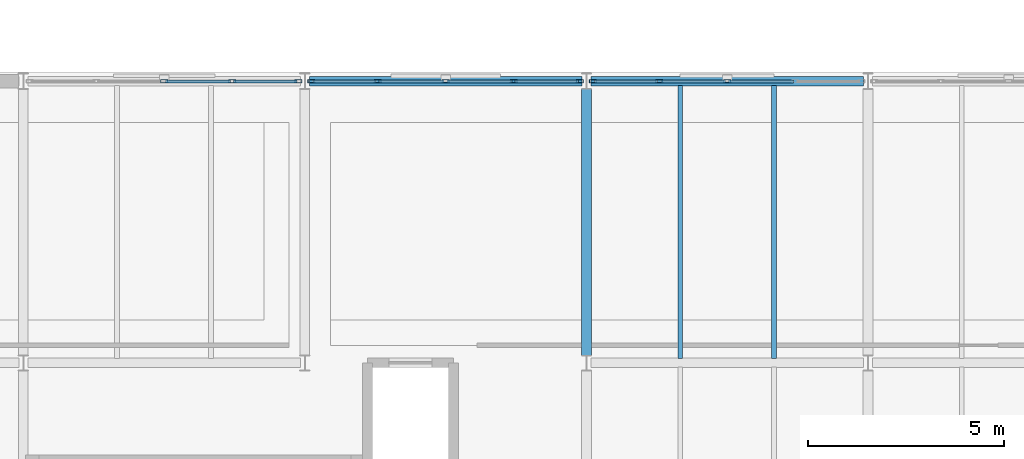
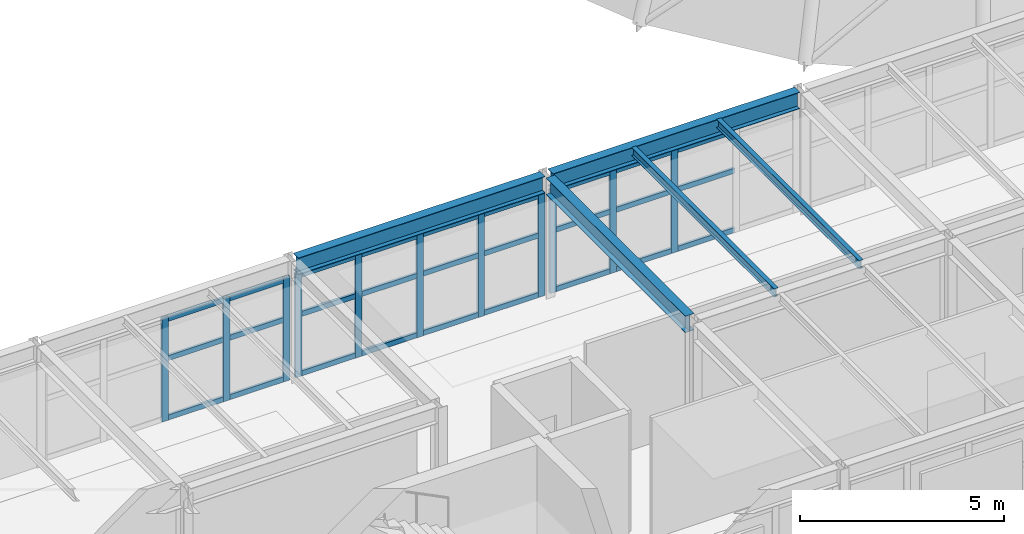
# One storey, part 19 of 48: 38 members, 5 beams, 3 elements without a shape of their own.
"""IFC4 building model written with IfcOpenShell, lengths in metres."""

import ifcopenshell
import ifcopenshell.guid

model = None  # the IFC model being written
_history = None  # IfcOwnerHistory: only IFC2X3 demands one
_inside = {}  # id of a spatial element -> (the spatial element, [elements in it])
_under = {}  # id of a project, library or spatial element -> (it, [spatial elements below it])
_declared = {}  # id of a project -> (the project, [libraries it declares])
_typed = {}  # id of a type object -> (the type object, [elements of that type])
_made_of = {}  # id of a material, layer set ... -> (it, [elements and type objects made of it])


def new_model(schema):
    """Start an empty IFC model of exactly this schema.

    Asked for "IFC4X3", IfcOpenShell would pick the latest addendum, in which some entities
    have other attributes; the version numbers below select the first issue.
    IFC2X3 requires an IfcOwnerHistory on every rooted entity: one is made here for all.
    """
    global model, _history
    if schema == "IFC4X3":
        model = ifcopenshell.file(schema_version=(4, 3, 0, 0))
    else:
        model = ifcopenshell.file(schema=schema)
    _inside.clear()
    _under.clear()
    _declared.clear()
    _typed.clear()
    _made_of.clear()
    _history = None
    if model.schema == "IFC2X3":
        org = make("IfcOrganization", Name="unknown")
        user = make(
            "IfcPersonAndOrganization",
            ThePerson=make("IfcPerson", FamilyName="unknown"),
            TheOrganization=org,
        )
        app = make(
            "IfcApplication",
            ApplicationDeveloper=org,
            Version="unknown",
            ApplicationFullName="unknown",
            ApplicationIdentifier="unknown",
        )
        _history = make(
            "IfcOwnerHistory",
            OwningUser=user,
            OwningApplication=app,
            ChangeAction="ADDED",
            CreationDate=0,
        )
    return model


def make(cls, **values):
    """One entity of the class cls with the attributes given. An attribute that is None is left unset."""
    return model.create_entity(
        cls, **{name: value for name, value in values.items() if value is not None}
    )


def rooted(cls, **values):
    """An entity with a GlobalId (a new one), such as an element, a storey or a relation."""
    return make(cls, GlobalId=ifcopenshell.guid.new(), OwnerHistory=_history, **values)


def si_unit(unit_type, name, prefix=None):
    """IfcSIUnit, for example si_unit("LENGTHUNIT", "METRE", prefix="MILLI")."""
    return make("IfcSIUnit", UnitType=unit_type, Prefix=prefix, Name=name)


def assignment(units):
    """IfcUnitAssignment: the units of a project."""
    return None if units is None else make("IfcUnitAssignment", Units=units)


def point(xyz):
    """IfcCartesianPoint."""
    return None if xyz is None else make("IfcCartesianPoint", Coordinates=xyz)


def direction(xyz):
    """IfcDirection."""
    return None if xyz is None else make("IfcDirection", DirectionRatios=xyz)


def frame(location, z_axis=None, x_axis=None):
    """IfcAxis2Placement3D, a coordinate frame: its origin and axes. An axis left out is left unset."""
    return make(
        "IfcAxis2Placement3D",
        Location=point(location),
        Axis=direction(z_axis),
        RefDirection=direction(x_axis),
    )


def frame_2d(location, x_axis=None):
    """IfcAxis2Placement2D, a coordinate frame in the plane: its origin and x axis."""
    return make(
        "IfcAxis2Placement2D", Location=point(location), RefDirection=direction(x_axis)
    )


def origin():
    """The frame at (0, 0, 0) with its axes left unset."""
    return frame((0.0, 0.0, 0.0))


def origin_2d():
    """The frame at (0, 0) in the plane with its x axis left unset."""
    return frame_2d((0.0, 0.0))


def place(relative_to, where):
    """IfcLocalPlacement: puts the frame where relative to a parent placement (None: the world)."""
    return make(
        "IfcLocalPlacement", PlacementRelTo=relative_to, RelativePlacement=where
    )


def context(
    kind, dimensions, precision=None, world=None, true_north=None, identifier=None
):
    """IfcGeometricRepresentationContext, for example the 3D "Model" context."""
    return make(
        "IfcGeometricRepresentationContext",
        ContextIdentifier=identifier,
        ContextType=kind,
        CoordinateSpaceDimension=dimensions,
        Precision=precision,
        WorldCoordinateSystem=world,
        TrueNorth=true_north,
    )


def subcontext(parent, identifier, kind, view, scale=None):
    """IfcGeometricRepresentationSubContext, for example "Body" below "Model"."""
    return make(
        "IfcGeometricRepresentationSubContext",
        ContextIdentifier=identifier,
        ContextType=kind,
        ParentContext=parent,
        TargetScale=scale,
        TargetView=view,
    )


def project(units=None, contexts=None):
    """IfcProject with its units and contexts."""
    return rooted(
        "IfcProject",
        Name="project",
        RepresentationContexts=contexts,
        UnitsInContext=assignment(units),
    )


def spatial(cls, under=None, at=None, **own):
    """A site, building, storey or space (cls), placed at a placement, below another one or the project."""
    s = rooted(cls, ObjectPlacement=at, **own)
    if under is not None:
        _under.setdefault(under.id(), (under, []))[1].append(s)
    return s


def profile(cls, at=None, kind="AREA", **sizes):
    """A parametric profile (cls). Its sizes go by their IFC names, for example OverallWidth=200.0."""
    return make(cls, ProfileType=kind, Position=at, **sizes)


def hollow_rectangle(**sizes):
    """IfcRectangleHollowProfileDef."""
    return profile("IfcRectangleHollowProfileDef", **sizes)


def i_section(**sizes):
    """IfcIShapeProfileDef."""
    return profile("IfcIShapeProfileDef", **sizes)


def extrude(swept, where, along, depth):
    """IfcExtrudedAreaSolid: the profile swept, set in the frame where, extruded along a direction by depth."""
    return make(
        "IfcExtrudedAreaSolid",
        SweptArea=swept,
        Position=where,
        ExtrudedDirection=direction(along),
        Depth=depth,
    )


def shape(context_of_items, identifier, shape_type, items):
    """IfcShapeRepresentation: the items that make up one representation, for example the "Body"."""
    return make(
        "IfcShapeRepresentation",
        ContextOfItems=context_of_items,
        RepresentationIdentifier=identifier,
        RepresentationType=shape_type,
        Items=items,
    )


def material(Name=None, Category=None):
    """IfcMaterial."""
    return make("IfcMaterial", Name=Name, Category=Category)


def layer(
    of_material, thickness, ventilated=None, Name=None, Category=None, Priority=None
):
    """IfcMaterialLayer: one layer of a wall or slab, of a material (None: an air gap)."""
    return make(
        "IfcMaterialLayer",
        Material=of_material,
        LayerThickness=thickness,
        IsVentilated=ventilated,
        Name=Name,
        Category=Category,
        Priority=Priority,
    )


def layer_set(layers, Name=None):
    """IfcMaterialLayerSet."""
    return make("IfcMaterialLayerSet", MaterialLayers=layers, LayerSetName=Name)


def material_profile(
    of_material, cross_section, Name=None, Category=None, Priority=None
):
    """IfcMaterialProfile: a cross section and its material."""
    return make(
        "IfcMaterialProfile",
        Name=Name,
        Material=of_material,
        Profile=cross_section,
        Priority=Priority,
        Category=Category,
    )


def profile_set(profiles, Name=None, composite=None):
    """IfcMaterialProfileSet."""
    return make(
        "IfcMaterialProfileSet",
        Name=Name,
        MaterialProfiles=profiles,
        CompositeProfile=composite,
    )


def made_of(thing, what):
    """Note that an element or type object is made of a material, layer set ...; save() writes the relation."""
    if what is not None:
        _made_of.setdefault(what.id(), (what, []))[1].append(thing)
    return thing


def type_object(cls, material=None, **own):
    """A type object (cls), such as IfcWallType, which elements share."""
    return made_of(rooted(cls, **own), material)


def element(
    cls,
    number,
    at=None,
    inside=None,
    cuts=None,
    type_object=None,
    material=None,
    context=None,
    identifier="Body",
    shape_type=None,
    held_by="IfcProductDefinitionShape",
    body=None,
    shapes=None,
    **own,
):
    """One element of the class cls, such as IfcWall. Its Tag is "e" and its number.

    at: its placement. inside: the storey or other place that contains it. cuts: it is an
    opening in that element (IfcRelVoidsElement). A single representation is given by context,
    identifier, shape_type and body (its items); several are given by shapes. held_by: the class
    of the entity that holds the representations. save() writes the other relations.
    """
    e = rooted(cls, Tag="e%d" % number, ObjectPlacement=at, **own)
    if body is not None:
        shapes = [shape(context, identifier, shape_type, body)]
    if shapes is not None:
        e.Representation = make(held_by, Representations=shapes)
    if inside is not None:
        _inside.setdefault(inside.id(), (inside, []))[1].append(e)
    if cuts is not None:
        rooted(
            "IfcRelVoidsElement", RelatingBuildingElement=cuts, RelatedOpeningElement=e
        )
    if type_object is not None:
        _typed.setdefault(type_object.id(), (type_object, []))[1].append(e)
    return made_of(e, material)


def aggregate(whole, parts):
    """IfcRelAggregates: a whole, such as a stair, and the parts it consists of."""
    return rooted("IfcRelAggregates", RelatingObject=whole, RelatedObjects=parts)


def save(model, path):
    """Write the relations noted so far, then the file.

    IfcRelAggregates (storeys below a building ...), IfcRelContainedInSpatialStructure (elements
    in a storey), IfcRelDefinesByType, IfcRelAssociatesMaterial and IfcRelDeclares: one each for
    every whole, place, type object, material and project.
    """
    for whole, parts in _under.values():
        aggregate(whole, parts)
    for where, things in _inside.values():
        rooted(
            "IfcRelContainedInSpatialStructure",
            RelatedElements=things,
            RelatingStructure=where,
        )
    for kind, things in _typed.values():
        rooted("IfcRelDefinesByType", RelatedObjects=things, RelatingType=kind)
    for what, things in _made_of.values():
        rooted("IfcRelAssociatesMaterial", RelatedObjects=things, RelatingMaterial=what)
    for by, libraries in _declared.values():
        rooted("IfcRelDeclares", RelatingContext=by, RelatedDefinitions=libraries)
    model.write(path)


model = new_model("IFC4")

# Units and contexts
model_context = context("Model", 3, precision=1e-05, world=origin(), true_north=direction((0.0, 1.0)))
body_context = subcontext(model_context, "Body", "Model", "MODEL_VIEW")
ifc_project = project(units=[si_unit("LENGTHUNIT", "METRE"), si_unit("AREAUNIT", "SQUARE_METRE"), si_unit("VOLUMEUNIT", "CUBIC_METRE"), si_unit("PLANEANGLEUNIT", "RADIAN"), si_unit("MASSUNIT", "GRAM", prefix="KILO")], contexts=[model_context])

# Site, building, storey
site_placement = place(None, origin())
site = spatial("IfcSite", under=ifc_project, at=site_placement, CompositionType="ELEMENT")
building_placement = place(site_placement, origin())
building = spatial("IfcBuilding", under=site, at=building_placement, Name="Kandorven Conservatory and Botanical Research Centre", CompositionType="ELEMENT")
storey_placement = place(building_placement, frame((0.0, 0.0, 13.199951171875)))
storey = spatial("IfcBuildingStorey", under=building, at=storey_placement, Name="L03", CompositionType="ELEMENT", Elevation=13.199951171875)

# Beams
ifc_material_1 = material(Name="Steel S355 (IS 2062 E350)", Category="steel")
ifc_material_profile_1 = material_profile(ifc_material_1, i_section(OverallWidth=0.25, OverallDepth=0.5, WebThickness=0.010009765625, FlangeThickness=0.0146484375, at=origin_2d()))
ifc_profile_set_1 = profile_set([ifc_material_profile_1], Name="Steel S355 (IS 2062 E350)")
beam_type_1 = type_object("IfcBeamType", Name="Beam_FG-02", PredefinedType="USERDEFINED", material=ifc_profile_set_1)
beam_1_placement = place(storey_placement, frame((56.514892578125, 27.60009765625, 3.375), z_axis=(1.0, 0.0, 0.0), x_axis=(0.0, 1.0, 0.0)))
element("IfcBeam", 1, at=beam_1_placement, inside=storey, type_object=beam_type_1, Name="Primary girder FG-02 VIS L03", ObjectType="GIRDER", PredefinedType="USERDEFINED", context=body_context, shape_type="SweptSolid", body=[
    extrude(i_section(OverallWidth=0.25, OverallDepth=0.5, WebThickness=0.010009765625, FlangeThickness=0.0146484375, at=origin_2d()), origin(), (0.0, 0.0, 1.0), 6.97021484375),
])
beam_2_placement = place(storey_placement, frame((63.715087890625, 27.60009765625, 3.375), z_axis=(1.0, 0.0, 0.0), x_axis=(0.0, 1.0, 0.0)))
element("IfcBeam", 2, at=beam_2_placement, inside=storey, type_object=beam_type_1, Name="Primary girder FG-02 VIS L03", ObjectType="GIRDER", PredefinedType="USERDEFINED", context=body_context, shape_type="SweptSolid", body=[
    extrude(i_section(OverallWidth=0.25, OverallDepth=0.5, WebThickness=0.010009765625, FlangeThickness=0.0146484375, at=origin_2d()), origin(), (0.0, 0.0, 1.0), 6.969970703125),
])
beam_3_placement = place(storey_placement, frame((63.60009765625, 20.590087890625, 3.375), z_axis=(0.0, 1.0, 0.0), x_axis=(-1.0, 0.0, 0.0)))
element("IfcBeam", 3, at=beam_3_placement, inside=storey, type_object=beam_type_1, Name="Primary girder FG-02 VIS L03", ObjectType="GIRDER", PredefinedType="USERDEFINED", context=body_context, shape_type="SweptSolid", body=[
    extrude(i_section(OverallWidth=0.25, OverallDepth=0.5, WebThickness=0.010009765625, FlangeThickness=0.0146484375, at=origin_2d()), origin(), (0.0, 0.0, 1.0), 6.81982421875),
])
ifc_material_2 = material(Name="Steel S355 (IS 2062 E350)", Category="steel")
ifc_material_profile_2 = material_profile(ifc_material_2, i_section(OverallWidth=0.125, OverallDepth=0.25, WebThickness=0.0068359375, FlangeThickness=0.012451171875, at=origin_2d()))
ifc_profile_set_2 = profile_set([ifc_material_profile_2], Name="Steel S355 (IS 2062 E350)")
beam_type_2 = type_object("IfcBeamType", Name="Beam_RJ-01", PredefinedType="JOIST", material=ifc_profile_set_2)
for number, where, z_axis, x_axis, name in (
    (4, (66.0, 20.510009765625, 3.5), (0.0, 1.0, 0.0), (-1.0, 0.0, 0.0), "Composite secondary beam RJ-01 VIS L03"),
    (5, (68.39990234375, 20.510009765625, 3.5), (0.0, 1.0, 0.0), (-1.0, 0.0, 0.0), "Composite secondary beam RJ-01 VIS L03"),
):
    element("IfcBeam", number, at=place(storey_placement, frame(where, z_axis=z_axis, x_axis=x_axis)), inside=storey, type_object=beam_type_2, Name=name, PredefinedType="JOIST", context=body_context, shape_type="SweptSolid", body=[
        extrude(i_section(OverallWidth=0.125, OverallDepth=0.25, WebThickness=0.0068359375, FlangeThickness=0.012451171875, at=origin_2d()), origin(), (0.0, 0.0, 1.0), 6.97998046875),
    ])

# Curtain wall, members
ifc_material_3 = material(Name="Bronze anodised thermally broken aluminium", Category="aluminium")
ifc_layer = layer(ifc_material_3, 0.179931640625)
ifc_layer_set = layer_set([ifc_layer], Name="Bronze anodised thermally broken aluminium")
curtain_wall_type = type_object("IfcCurtainWallType", Name="CW_Unitised", PredefinedType="USERDEFINED", material=ifc_layer_set)
curtain_wall_1_placement = place(storey_placement, origin())
curtain_wall_1 = element("IfcCurtainWall", 6, at=curtain_wall_1_placement, inside=storey, type_object=curtain_wall_type, Name="Visitor wing unitised curtain wall CW-VIS-N-L03-2", ObjectType="UNITISED GLAZING", PredefinedType="USERDEFINED")
ifc_material_4 = material(Name="Bronze anodised thermally broken aluminium", Category="aluminium")
ifc_material_profile_3 = material_profile(ifc_material_4, hollow_rectangle(XDim=0.080078125, YDim=0.179931640625, WallThickness=0.006103515625, at=origin_2d()))
ifc_profile_set_3 = profile_set([ifc_material_profile_3], Name="Bronze anodised thermally broken aluminium")
member_type_1 = type_object("IfcMemberType", Name="CW_Mullion", PredefinedType="MULLION", material=ifc_profile_set_3)
member_1_placement = place(storey_placement, frame((52.800048828125, 27.60009765625, 0.0), z_axis=(0.0, 0.0, 1.0), x_axis=(0.0, 1.0, 0.0)))
member_1 = element("IfcMember", 7, at=member_1_placement, type_object=member_type_1, Name="CW-01 mullion 3", PredefinedType="MULLION", context=body_context, shape_type="SweptSolid", body=[
    extrude(hollow_rectangle(XDim=0.080078125, YDim=0.179931640625, WallThickness=0.006103515625, at=origin_2d()), origin(), (0.0, 0.0, 1.0), 3.10009765625),
])
member_2_placement = place(storey_placement, frame((54.53759765625, 27.60009765625, 0.0), z_axis=(0.0, 0.0, 1.0), x_axis=(0.0, 1.0, 0.0)))
member_2 = element("IfcMember", 8, at=member_2_placement, type_object=member_type_1, Name="CW-01 mullion 4", PredefinedType="MULLION", context=body_context, shape_type="SweptSolid", body=[
    extrude(hollow_rectangle(XDim=0.080078125, YDim=0.179931640625, WallThickness=0.006103515625, at=origin_2d()), origin(), (0.0, 0.0, 1.0), 3.10009765625),
])
member_3_placement = place(storey_placement, frame((56.235107421875, 27.60009765625, 0.0), z_axis=(0.0, 0.0, 1.0), x_axis=(0.0, 1.0, 0.0)))
member_3 = element("IfcMember", 9, at=member_3_placement, type_object=member_type_1, Name="CW-01 mullion 5", PredefinedType="MULLION", context=body_context, shape_type="SweptSolid", body=[
    extrude(hollow_rectangle(XDim=0.080078125, YDim=0.179931640625, WallThickness=0.006103515625, at=origin_2d()), origin(), (0.0, 0.0, 1.0), 3.10009765625),
])

curtain_wall_2_placement = place(storey_placement, origin())
curtain_wall_2 = element("IfcCurtainWall", 10, at=curtain_wall_2_placement, inside=storey, type_object=curtain_wall_type, Name="Visitor wing unitised curtain wall CW-VIS-N-L03-3", ObjectType="UNITISED GLAZING", PredefinedType="USERDEFINED")
member_4_placement = place(storey_placement, frame((56.56494140625, 27.60009765625, 0.0), z_axis=(0.0, 0.0, 1.0), x_axis=(0.0, 1.0, 0.0)))
member_4 = element("IfcMember", 11, at=member_4_placement, type_object=member_type_1, Name="CW-01 mullion 1", PredefinedType="MULLION", context=body_context, shape_type="SweptSolid", body=[
    extrude(hollow_rectangle(XDim=0.080078125, YDim=0.179931640625, WallThickness=0.006103515625, at=origin_2d()), origin(), (0.0, 0.0, 1.0), 3.10009765625),
])
member_5_placement = place(storey_placement, frame((58.262451171875, 27.60009765625, 0.0), z_axis=(0.0, 0.0, 1.0), x_axis=(0.0, 1.0, 0.0)))
member_5 = element("IfcMember", 12, at=member_5_placement, type_object=member_type_1, Name="CW-01 mullion 2", PredefinedType="MULLION", context=body_context, shape_type="SweptSolid", body=[
    extrude(hollow_rectangle(XDim=0.080078125, YDim=0.179931640625, WallThickness=0.006103515625, at=origin_2d()), origin(), (0.0, 0.0, 1.0), 3.10009765625),
])
member_6_placement = place(storey_placement, frame((60.0, 27.60009765625, 0.0), z_axis=(0.0, 0.0, 1.0), x_axis=(0.0, 1.0, 0.0)))
member_6 = element("IfcMember", 13, at=member_6_placement, type_object=member_type_1, Name="CW-01 mullion 3", PredefinedType="MULLION", context=body_context, shape_type="SweptSolid", body=[
    extrude(hollow_rectangle(XDim=0.080078125, YDim=0.179931640625, WallThickness=0.006103515625, at=origin_2d()), origin(), (0.0, 0.0, 1.0), 3.10009765625),
])
member_7_placement = place(storey_placement, frame((61.737548828125, 27.60009765625, 0.0), z_axis=(0.0, 0.0, 1.0), x_axis=(0.0, 1.0, 0.0)))
member_7 = element("IfcMember", 14, at=member_7_placement, type_object=member_type_1, Name="CW-01 mullion 4", PredefinedType="MULLION", context=body_context, shape_type="SweptSolid", body=[
    extrude(hollow_rectangle(XDim=0.080078125, YDim=0.179931640625, WallThickness=0.006103515625, at=origin_2d()), origin(), (0.0, 0.0, 1.0), 3.10009765625),
])
member_8_placement = place(storey_placement, frame((63.43505859375, 27.60009765625, 0.0), z_axis=(0.0, 0.0, 1.0), x_axis=(0.0, 1.0, 0.0)))
member_8 = element("IfcMember", 15, at=member_8_placement, type_object=member_type_1, Name="CW-01 mullion 5", PredefinedType="MULLION", context=body_context, shape_type="SweptSolid", body=[
    extrude(hollow_rectangle(XDim=0.080078125, YDim=0.179931640625, WallThickness=0.006103515625, at=origin_2d()), origin(), (0.0, 0.0, 1.0), 3.10009765625),
])

curtain_wall_3_placement = place(storey_placement, origin())
curtain_wall_3 = element("IfcCurtainWall", 16, at=curtain_wall_3_placement, inside=storey, type_object=curtain_wall_type, Name="Visitor wing unitised curtain wall CW-VIS-N-L03-4", ObjectType="UNITISED GLAZING", PredefinedType="USERDEFINED")
member_9_placement = place(storey_placement, frame((63.764892578125, 27.60009765625, 0.0), z_axis=(0.0, 0.0, 1.0), x_axis=(0.0, 1.0, 0.0)))
member_9 = element("IfcMember", 17, at=member_9_placement, type_object=member_type_1, Name="CW-01 mullion 1", PredefinedType="MULLION", context=body_context, shape_type="SweptSolid", body=[
    extrude(hollow_rectangle(XDim=0.080078125, YDim=0.179931640625, WallThickness=0.006103515625, at=origin_2d()), origin(), (0.0, 0.0, 1.0), 3.10009765625),
])
member_10_placement = place(storey_placement, frame((65.46240234375, 27.60009765625, 0.0), z_axis=(0.0, 0.0, 1.0), x_axis=(0.0, 1.0, 0.0)))
member_10 = element("IfcMember", 18, at=member_10_placement, type_object=member_type_1, Name="CW-01 mullion 2", PredefinedType="MULLION", context=body_context, shape_type="SweptSolid", body=[
    extrude(hollow_rectangle(XDim=0.080078125, YDim=0.179931640625, WallThickness=0.006103515625, at=origin_2d()), origin(), (0.0, 0.0, 1.0), 3.10009765625),
])
member_11_placement = place(storey_placement, frame((67.199951171875, 27.60009765625, 0.0), z_axis=(0.0, 0.0, 1.0), x_axis=(0.0, 1.0, 0.0)))
member_11 = element("IfcMember", 19, at=member_11_placement, type_object=member_type_1, Name="CW-01 mullion 3", PredefinedType="MULLION", context=body_context, shape_type="SweptSolid", body=[
    extrude(hollow_rectangle(XDim=0.080078125, YDim=0.179931640625, WallThickness=0.006103515625, at=origin_2d()), origin(), (0.0, 0.0, 1.0), 3.10009765625),
])

# Member
ifc_material_5 = material(Name="Bronze anodised thermally broken aluminium", Category="aluminium")
ifc_material_profile_4 = material_profile(ifc_material_5, hollow_rectangle(XDim=0.074951171875, YDim=0.14990234375, WallThickness=0.006103515625, at=origin_2d()))
ifc_profile_set_4 = profile_set([ifc_material_profile_4], Name="Bronze anodised thermally broken aluminium")
member_type_2 = type_object("IfcMemberType", Name="CW_Transom", PredefinedType="USERDEFINED", material=ifc_profile_set_4)
member_12_placement = place(storey_placement, frame((52.840087890625, 27.60009765625, 0.074951171875), z_axis=(1.0, 0.0, 0.0), x_axis=(0.0, 1.0, 0.0)))
member_12 = element("IfcMember", 20, at=member_12_placement, type_object=member_type_2, Name="CW-01 transom 3.1", ObjectType="TRANSOM", PredefinedType="USERDEFINED", context=body_context, shape_type="SweptSolid", body=[
    extrude(hollow_rectangle(XDim=0.074951171875, YDim=0.14990234375, WallThickness=0.006103515625, at=origin_2d()), origin(), (0.0, 0.0, 1.0), 1.657470703125),
])

member_13_placement = place(storey_placement, frame((52.840087890625, 27.60009765625, 1.85009765625), z_axis=(1.0, 0.0, 0.0), x_axis=(0.0, 1.0, 0.0)))
member_13 = element("IfcMember", 21, at=member_13_placement, type_object=member_type_2, Name="CW-01 transom 3.2", ObjectType="TRANSOM", PredefinedType="USERDEFINED", context=body_context, shape_type="SweptSolid", body=[
    extrude(hollow_rectangle(XDim=0.074951171875, YDim=0.14990234375, WallThickness=0.006103515625, at=origin_2d()), origin(), (0.0, 0.0, 1.0), 1.657470703125),
])

member_14_placement = place(storey_placement, frame((52.840087890625, 27.60009765625, 3.025146484375), z_axis=(1.0, 0.0, 0.0), x_axis=(0.0, 1.0, 0.0)))
member_14 = element("IfcMember", 22, at=member_14_placement, type_object=member_type_2, Name="CW-01 transom 3.3", ObjectType="TRANSOM", PredefinedType="USERDEFINED", context=body_context, shape_type="SweptSolid", body=[
    extrude(hollow_rectangle(XDim=0.074951171875, YDim=0.14990234375, WallThickness=0.006103515625, at=origin_2d()), origin(), (0.0, 0.0, 1.0), 1.657470703125),
])

member_15_placement = place(storey_placement, frame((54.577392578125, 27.60009765625, 0.074951171875), z_axis=(1.0, 0.0, 0.0), x_axis=(0.0, 1.0, 0.0)))
member_15 = element("IfcMember", 23, at=member_15_placement, type_object=member_type_2, Name="CW-01 transom 4.1", ObjectType="TRANSOM", PredefinedType="USERDEFINED", context=body_context, shape_type="SweptSolid", body=[
    extrude(hollow_rectangle(XDim=0.074951171875, YDim=0.14990234375, WallThickness=0.006103515625, at=origin_2d()), origin(), (0.0, 0.0, 1.0), 1.61767578125),
])

member_16_placement = place(storey_placement, frame((54.577392578125, 27.60009765625, 1.85009765625), z_axis=(1.0, 0.0, 0.0), x_axis=(0.0, 1.0, 0.0)))
member_16 = element("IfcMember", 24, at=member_16_placement, type_object=member_type_2, Name="CW-01 transom 4.2", ObjectType="TRANSOM", PredefinedType="USERDEFINED", context=body_context, shape_type="SweptSolid", body=[
    extrude(hollow_rectangle(XDim=0.074951171875, YDim=0.14990234375, WallThickness=0.006103515625, at=origin_2d()), origin(), (0.0, 0.0, 1.0), 1.61767578125),
])

member_17_placement = place(storey_placement, frame((54.577392578125, 27.60009765625, 3.025146484375), z_axis=(1.0, 0.0, 0.0), x_axis=(0.0, 1.0, 0.0)))
member_17 = element("IfcMember", 25, at=member_17_placement, type_object=member_type_2, Name="CW-01 transom 4.3", ObjectType="TRANSOM", PredefinedType="USERDEFINED", context=body_context, shape_type="SweptSolid", body=[
    extrude(hollow_rectangle(XDim=0.074951171875, YDim=0.14990234375, WallThickness=0.006103515625, at=origin_2d()), origin(), (0.0, 0.0, 1.0), 1.61767578125),
])

aggregate(curtain_wall_1, [member_1, member_2, member_3, member_12, member_13, member_14, member_15, member_16, member_17])

member_18_placement = place(storey_placement, frame((56.60498046875, 27.60009765625, 0.074951171875), z_axis=(1.0, 0.0, 0.0), x_axis=(0.0, 1.0, 0.0)))
member_18 = element("IfcMember", 26, at=member_18_placement, type_object=member_type_2, Name="CW-01 transom 1.1", ObjectType="TRANSOM", PredefinedType="USERDEFINED", context=body_context, shape_type="SweptSolid", body=[
    extrude(hollow_rectangle(XDim=0.074951171875, YDim=0.14990234375, WallThickness=0.006103515625, at=origin_2d()), origin(), (0.0, 0.0, 1.0), 1.617431640625),
])

member_19_placement = place(storey_placement, frame((56.60498046875, 27.60009765625, 1.85009765625), z_axis=(1.0, 0.0, 0.0), x_axis=(0.0, 1.0, 0.0)))
member_19 = element("IfcMember", 27, at=member_19_placement, type_object=member_type_2, Name="CW-01 transom 1.2", ObjectType="TRANSOM", PredefinedType="USERDEFINED", context=body_context, shape_type="SweptSolid", body=[
    extrude(hollow_rectangle(XDim=0.074951171875, YDim=0.14990234375, WallThickness=0.006103515625, at=origin_2d()), origin(), (0.0, 0.0, 1.0), 1.617431640625),
])

member_20_placement = place(storey_placement, frame((56.60498046875, 27.60009765625, 3.025146484375), z_axis=(1.0, 0.0, 0.0), x_axis=(0.0, 1.0, 0.0)))
member_20 = element("IfcMember", 28, at=member_20_placement, type_object=member_type_2, Name="CW-01 transom 1.3", ObjectType="TRANSOM", PredefinedType="USERDEFINED", context=body_context, shape_type="SweptSolid", body=[
    extrude(hollow_rectangle(XDim=0.074951171875, YDim=0.14990234375, WallThickness=0.006103515625, at=origin_2d()), origin(), (0.0, 0.0, 1.0), 1.617431640625),
])

member_21_placement = place(storey_placement, frame((58.302490234375, 27.60009765625, 0.074951171875), z_axis=(1.0, 0.0, 0.0), x_axis=(0.0, 1.0, 0.0)))
member_21 = element("IfcMember", 29, at=member_21_placement, type_object=member_type_2, Name="CW-01 transom 2.1", ObjectType="TRANSOM", PredefinedType="USERDEFINED", context=body_context, shape_type="SweptSolid", body=[
    extrude(hollow_rectangle(XDim=0.074951171875, YDim=0.14990234375, WallThickness=0.006103515625, at=origin_2d()), origin(), (0.0, 0.0, 1.0), 1.657470703125),
])

member_22_placement = place(storey_placement, frame((58.302490234375, 27.60009765625, 1.85009765625), z_axis=(1.0, 0.0, 0.0), x_axis=(0.0, 1.0, 0.0)))
member_22 = element("IfcMember", 30, at=member_22_placement, type_object=member_type_2, Name="CW-01 transom 2.2", ObjectType="TRANSOM", PredefinedType="USERDEFINED", context=body_context, shape_type="SweptSolid", body=[
    extrude(hollow_rectangle(XDim=0.074951171875, YDim=0.14990234375, WallThickness=0.006103515625, at=origin_2d()), origin(), (0.0, 0.0, 1.0), 1.657470703125),
])

member_23_placement = place(storey_placement, frame((58.302490234375, 27.60009765625, 3.025146484375), z_axis=(1.0, 0.0, 0.0), x_axis=(0.0, 1.0, 0.0)))
member_23 = element("IfcMember", 31, at=member_23_placement, type_object=member_type_2, Name="CW-01 transom 2.3", ObjectType="TRANSOM", PredefinedType="USERDEFINED", context=body_context, shape_type="SweptSolid", body=[
    extrude(hollow_rectangle(XDim=0.074951171875, YDim=0.14990234375, WallThickness=0.006103515625, at=origin_2d()), origin(), (0.0, 0.0, 1.0), 1.657470703125),
])

member_24_placement = place(storey_placement, frame((60.0400390625, 27.60009765625, 0.074951171875), z_axis=(1.0, 0.0, 0.0), x_axis=(0.0, 1.0, 0.0)))
member_24 = element("IfcMember", 32, at=member_24_placement, type_object=member_type_2, Name="CW-01 transom 3.1", ObjectType="TRANSOM", PredefinedType="USERDEFINED", context=body_context, shape_type="SweptSolid", body=[
    extrude(hollow_rectangle(XDim=0.074951171875, YDim=0.14990234375, WallThickness=0.006103515625, at=origin_2d()), origin(), (0.0, 0.0, 1.0), 1.657470703125),
])

member_25_placement = place(storey_placement, frame((60.0400390625, 27.60009765625, 1.85009765625), z_axis=(1.0, 0.0, 0.0), x_axis=(0.0, 1.0, 0.0)))
member_25 = element("IfcMember", 33, at=member_25_placement, type_object=member_type_2, Name="CW-01 transom 3.2", ObjectType="TRANSOM", PredefinedType="USERDEFINED", context=body_context, shape_type="SweptSolid", body=[
    extrude(hollow_rectangle(XDim=0.074951171875, YDim=0.14990234375, WallThickness=0.006103515625, at=origin_2d()), origin(), (0.0, 0.0, 1.0), 1.657470703125),
])

member_26_placement = place(storey_placement, frame((60.0400390625, 27.60009765625, 3.025146484375), z_axis=(1.0, 0.0, 0.0), x_axis=(0.0, 1.0, 0.0)))
member_26 = element("IfcMember", 34, at=member_26_placement, type_object=member_type_2, Name="CW-01 transom 3.3", ObjectType="TRANSOM", PredefinedType="USERDEFINED", context=body_context, shape_type="SweptSolid", body=[
    extrude(hollow_rectangle(XDim=0.074951171875, YDim=0.14990234375, WallThickness=0.006103515625, at=origin_2d()), origin(), (0.0, 0.0, 1.0), 1.657470703125),
])

member_27_placement = place(storey_placement, frame((61.777587890625, 27.60009765625, 0.074951171875), z_axis=(1.0, 0.0, 0.0), x_axis=(0.0, 1.0, 0.0)))
member_27 = element("IfcMember", 35, at=member_27_placement, type_object=member_type_2, Name="CW-01 transom 4.1", ObjectType="TRANSOM", PredefinedType="USERDEFINED", context=body_context, shape_type="SweptSolid", body=[
    extrude(hollow_rectangle(XDim=0.074951171875, YDim=0.14990234375, WallThickness=0.006103515625, at=origin_2d()), origin(), (0.0, 0.0, 1.0), 1.617431640625),
])

member_28_placement = place(storey_placement, frame((61.777587890625, 27.60009765625, 1.85009765625), z_axis=(1.0, 0.0, 0.0), x_axis=(0.0, 1.0, 0.0)))
member_28 = element("IfcMember", 36, at=member_28_placement, type_object=member_type_2, Name="CW-01 transom 4.2", ObjectType="TRANSOM", PredefinedType="USERDEFINED", context=body_context, shape_type="SweptSolid", body=[
    extrude(hollow_rectangle(XDim=0.074951171875, YDim=0.14990234375, WallThickness=0.006103515625, at=origin_2d()), origin(), (0.0, 0.0, 1.0), 1.617431640625),
])

member_29_placement = place(storey_placement, frame((61.777587890625, 27.60009765625, 3.025146484375), z_axis=(1.0, 0.0, 0.0), x_axis=(0.0, 1.0, 0.0)))
member_29 = element("IfcMember", 37, at=member_29_placement, type_object=member_type_2, Name="CW-01 transom 4.3", ObjectType="TRANSOM", PredefinedType="USERDEFINED", context=body_context, shape_type="SweptSolid", body=[
    extrude(hollow_rectangle(XDim=0.074951171875, YDim=0.14990234375, WallThickness=0.006103515625, at=origin_2d()), origin(), (0.0, 0.0, 1.0), 1.617431640625),
])

aggregate(curtain_wall_2, [member_4, member_5, member_6, member_7, member_8, member_18, member_19, member_20, member_21, member_22, member_23, member_24, member_25, member_26, member_27, member_28, member_29])

member_30_placement = place(storey_placement, frame((63.804931640625, 27.60009765625, 0.074951171875), z_axis=(1.0, 0.0, 0.0), x_axis=(0.0, 1.0, 0.0)))
member_30 = element("IfcMember", 38, at=member_30_placement, type_object=member_type_2, Name="CW-01 transom 1.1", ObjectType="TRANSOM", PredefinedType="USERDEFINED", context=body_context, shape_type="SweptSolid", body=[
    extrude(hollow_rectangle(XDim=0.074951171875, YDim=0.14990234375, WallThickness=0.006103515625, at=origin_2d()), origin(), (0.0, 0.0, 1.0), 1.61767578125),
])

member_31_placement = place(storey_placement, frame((63.804931640625, 27.60009765625, 1.85009765625), z_axis=(1.0, 0.0, 0.0), x_axis=(0.0, 1.0, 0.0)))
member_31 = element("IfcMember", 39, at=member_31_placement, type_object=member_type_2, Name="CW-01 transom 1.2", ObjectType="TRANSOM", PredefinedType="USERDEFINED", context=body_context, shape_type="SweptSolid", body=[
    extrude(hollow_rectangle(XDim=0.074951171875, YDim=0.14990234375, WallThickness=0.006103515625, at=origin_2d()), origin(), (0.0, 0.0, 1.0), 1.61767578125),
])

member_32_placement = place(storey_placement, frame((63.804931640625, 27.60009765625, 3.025146484375), z_axis=(1.0, 0.0, 0.0), x_axis=(0.0, 1.0, 0.0)))
member_32 = element("IfcMember", 40, at=member_32_placement, type_object=member_type_2, Name="CW-01 transom 1.3", ObjectType="TRANSOM", PredefinedType="USERDEFINED", context=body_context, shape_type="SweptSolid", body=[
    extrude(hollow_rectangle(XDim=0.074951171875, YDim=0.14990234375, WallThickness=0.006103515625, at=origin_2d()), origin(), (0.0, 0.0, 1.0), 1.61767578125),
])

member_33_placement = place(storey_placement, frame((65.50244140625, 27.60009765625, 0.074951171875), z_axis=(1.0, 0.0, 0.0), x_axis=(0.0, 1.0, 0.0)))
member_33 = element("IfcMember", 41, at=member_33_placement, type_object=member_type_2, Name="CW-01 transom 2.1", ObjectType="TRANSOM", PredefinedType="USERDEFINED", context=body_context, shape_type="SweptSolid", body=[
    extrude(hollow_rectangle(XDim=0.074951171875, YDim=0.14990234375, WallThickness=0.006103515625, at=origin_2d()), origin(), (0.0, 0.0, 1.0), 1.657470703125),
])

member_34_placement = place(storey_placement, frame((65.50244140625, 27.60009765625, 1.85009765625), z_axis=(1.0, 0.0, 0.0), x_axis=(0.0, 1.0, 0.0)))
member_34 = element("IfcMember", 42, at=member_34_placement, type_object=member_type_2, Name="CW-01 transom 2.2", ObjectType="TRANSOM", PredefinedType="USERDEFINED", context=body_context, shape_type="SweptSolid", body=[
    extrude(hollow_rectangle(XDim=0.074951171875, YDim=0.14990234375, WallThickness=0.006103515625, at=origin_2d()), origin(), (0.0, 0.0, 1.0), 1.657470703125),
])

member_35_placement = place(storey_placement, frame((65.50244140625, 27.60009765625, 3.025146484375), z_axis=(1.0, 0.0, 0.0), x_axis=(0.0, 1.0, 0.0)))
member_35 = element("IfcMember", 43, at=member_35_placement, type_object=member_type_2, Name="CW-01 transom 2.3", ObjectType="TRANSOM", PredefinedType="USERDEFINED", context=body_context, shape_type="SweptSolid", body=[
    extrude(hollow_rectangle(XDim=0.074951171875, YDim=0.14990234375, WallThickness=0.006103515625, at=origin_2d()), origin(), (0.0, 0.0, 1.0), 1.657470703125),
])

member_36_placement = place(storey_placement, frame((67.239990234375, 27.60009765625, 0.074951171875), z_axis=(1.0, 0.0, 0.0), x_axis=(0.0, 1.0, 0.0)))
member_36 = element("IfcMember", 44, at=member_36_placement, type_object=member_type_2, Name="CW-01 transom 3.1", ObjectType="TRANSOM", PredefinedType="USERDEFINED", context=body_context, shape_type="SweptSolid", body=[
    extrude(hollow_rectangle(XDim=0.074951171875, YDim=0.14990234375, WallThickness=0.006103515625, at=origin_2d()), origin(), (0.0, 0.0, 1.0), 1.657470703125),
])

member_37_placement = place(storey_placement, frame((67.239990234375, 27.60009765625, 1.85009765625), z_axis=(1.0, 0.0, 0.0), x_axis=(0.0, 1.0, 0.0)))
member_37 = element("IfcMember", 45, at=member_37_placement, type_object=member_type_2, Name="CW-01 transom 3.2", ObjectType="TRANSOM", PredefinedType="USERDEFINED", context=body_context, shape_type="SweptSolid", body=[
    extrude(hollow_rectangle(XDim=0.074951171875, YDim=0.14990234375, WallThickness=0.006103515625, at=origin_2d()), origin(), (0.0, 0.0, 1.0), 1.657470703125),
])

member_38_placement = place(storey_placement, frame((67.239990234375, 27.60009765625, 3.025146484375), z_axis=(1.0, 0.0, 0.0), x_axis=(0.0, 1.0, 0.0)))
member_38 = element("IfcMember", 46, at=member_38_placement, type_object=member_type_2, Name="CW-01 transom 3.3", ObjectType="TRANSOM", PredefinedType="USERDEFINED", context=body_context, shape_type="SweptSolid", body=[
    extrude(hollow_rectangle(XDim=0.074951171875, YDim=0.14990234375, WallThickness=0.006103515625, at=origin_2d()), origin(), (0.0, 0.0, 1.0), 1.657470703125),
])

aggregate(curtain_wall_3, [member_9, member_10, member_11, member_30, member_31, member_32, member_33, member_34, member_35, member_36, member_37, member_38])

save(model, "model.ifc")
